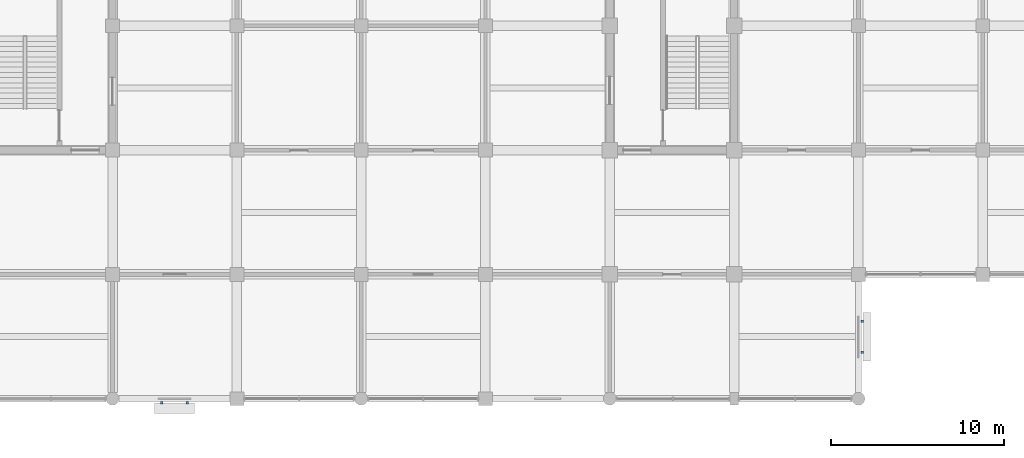
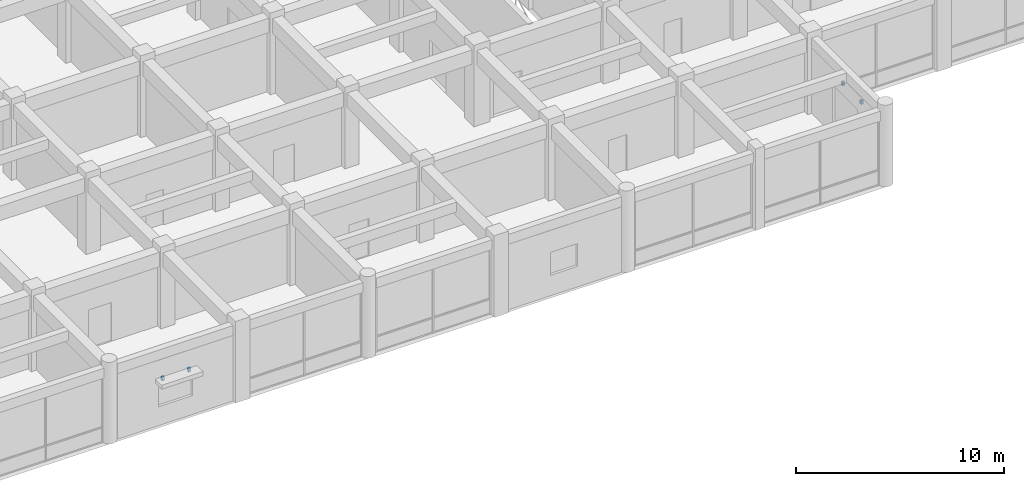
# One storey, part 69 of 75: 4 discrete accessories.
"""IFC4 building model written with IfcOpenShell, lengths in metres."""

from ifc_helpers import new_model, si_unit, direction, frame, origin, origin_2d, place, context, subcontext, project, spatial, rectangle, extrude, material, type_object, element, save


model = new_model("IFC4")

# Units and contexts
model_context = context("Model", 3, precision=1e-05, world=origin(), true_north=direction((0.0, 1.0)))
body_context = subcontext(model_context, "Body", "Model", "MODEL_VIEW")
ifc_project = project(units=[si_unit("LENGTHUNIT", "METRE"), si_unit("AREAUNIT", "SQUARE_METRE"), si_unit("VOLUMEUNIT", "CUBIC_METRE"), si_unit("PLANEANGLEUNIT", "RADIAN"), si_unit("MASSUNIT", "GRAM", prefix="KILO")], contexts=[model_context])

# Site, building, storey
site_placement = place(None, origin())
site = spatial("IfcSite", under=ifc_project, at=site_placement, CompositionType="ELEMENT")
building_placement = place(site_placement, origin())
building = spatial("IfcBuilding", under=site, at=building_placement, Name="Cendaluz Park School", CompositionType="ELEMENT")
storey_placement = place(building_placement, frame((0.0, 0.0, 4.800048828125)))
storey = spatial("IfcBuildingStorey", under=building, at=storey_placement, Name="L01", CompositionType="ELEMENT", Elevation=4.800048828125)

# Discrete accessories
ifc_material = material(Name="Steel S355", Category="steel")
discrete_accessory_type = type_object("IfcDiscreteAccessoryType", Name="BK-01", PredefinedType="BRACKET", material=ifc_material)
for number, where, z_axis, x_axis, name in (
    (1, (74.8515625, -0.219970703125, 2.6298828125), (0.0, 0.0, 1.0), (1.0, 0.0, 0.0), "BK-L01-081"),
    (2, (76.323486328125, -0.219970703125, 2.6298828125), (0.0, 0.0, 1.0), (1.0, 0.0, 0.0), "BK-L01-082"),
    (3, (115.419921875, 2.69140625, 2.93017578125), (0.0, 0.0, 1.0), (0.0, 1.0, 0.0), "BK-L01-083"),
    (4, (115.419921875, 4.4833984375, 2.93017578125), (0.0, 0.0, 1.0), (0.0, 1.0, 0.0), "BK-L01-084"),
):
    element("IfcDiscreteAccessory", number, at=place(storey_placement, frame(where, z_axis=z_axis, x_axis=x_axis)), inside=storey, type_object=discrete_accessory_type, Name=name, PredefinedType="BRACKET", context=body_context, shape_type="SweptSolid", body=[
        extrude(rectangle(XDim=0.139892578125, YDim=0.139892578125, at=origin_2d()), origin(), (0.0, 0.0, 1.0), 0.219970703125),
    ])

save(model, "model.ifc")
